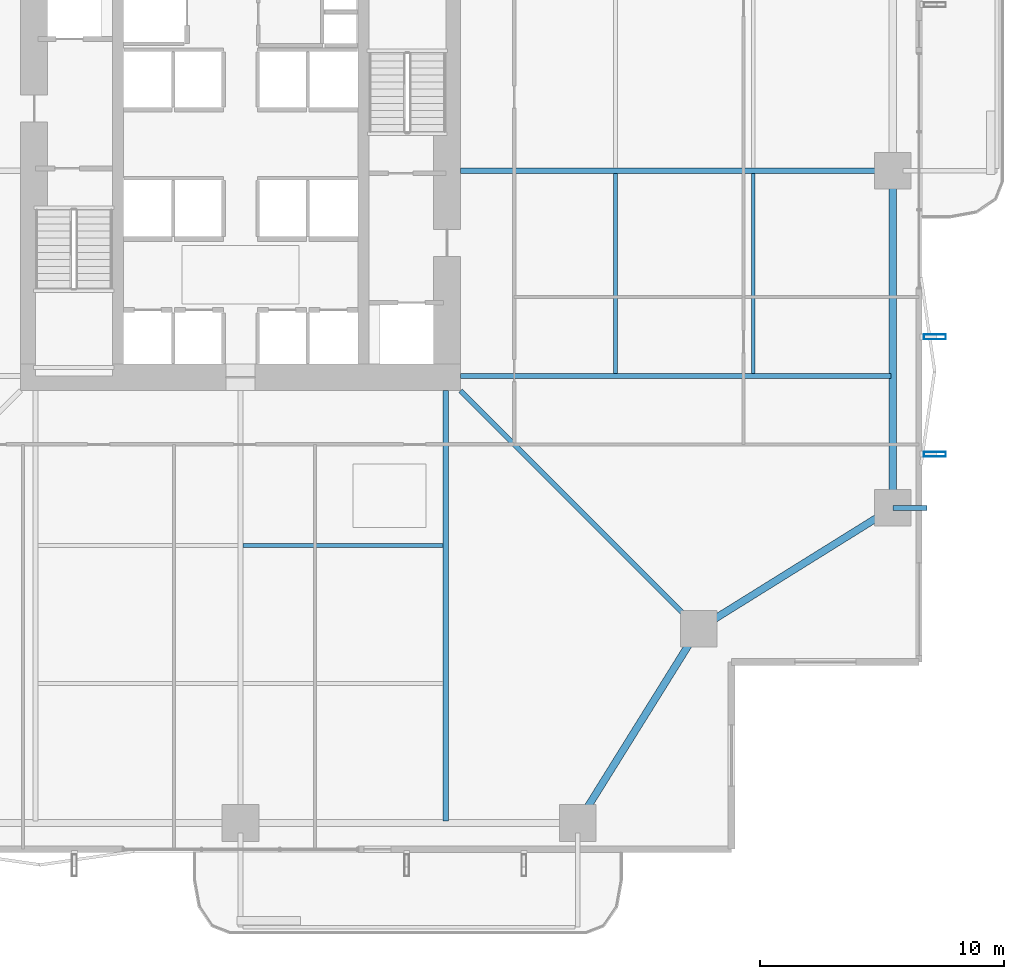
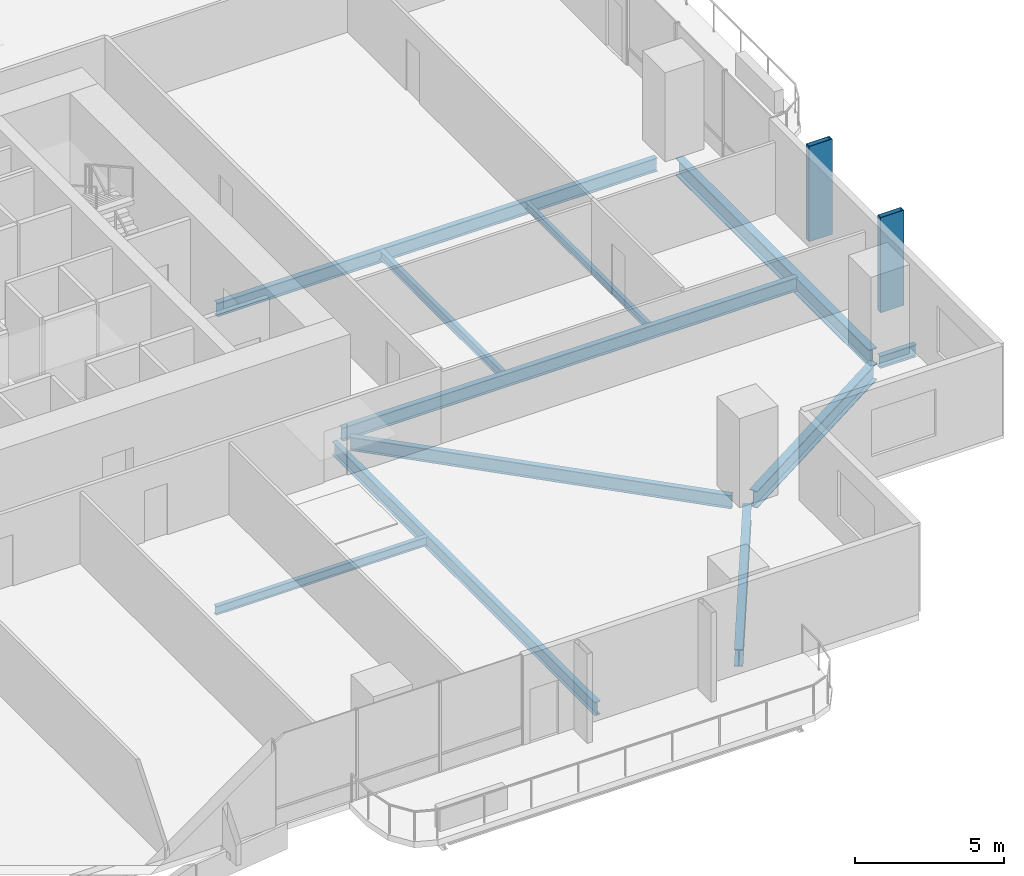
# One storey, part 7 of 24: 11 beams, 2 members.
"""IFC4 building model written with IfcOpenShell, lengths in metres."""

import ifcopenshell
import ifcopenshell.guid

model = None  # the IFC model being written
_history = None  # IfcOwnerHistory: only IFC2X3 demands one
_inside = {}  # id of a spatial element -> (the spatial element, [elements in it])
_under = {}  # id of a project, library or spatial element -> (it, [spatial elements below it])
_declared = {}  # id of a project -> (the project, [libraries it declares])
_typed = {}  # id of a type object -> (the type object, [elements of that type])
_made_of = {}  # id of a material, layer set ... -> (it, [elements and type objects made of it])


def new_model(schema):
    """Start an empty IFC model of exactly this schema.

    Asked for "IFC4X3", IfcOpenShell would pick the latest addendum, in which some entities
    have other attributes; the version numbers below select the first issue.
    IFC2X3 requires an IfcOwnerHistory on every rooted entity: one is made here for all.
    """
    global model, _history
    if schema == "IFC4X3":
        model = ifcopenshell.file(schema_version=(4, 3, 0, 0))
    else:
        model = ifcopenshell.file(schema=schema)
    _inside.clear()
    _under.clear()
    _declared.clear()
    _typed.clear()
    _made_of.clear()
    _history = None
    if model.schema == "IFC2X3":
        org = make("IfcOrganization", Name="unknown")
        user = make(
            "IfcPersonAndOrganization",
            ThePerson=make("IfcPerson", FamilyName="unknown"),
            TheOrganization=org,
        )
        app = make(
            "IfcApplication",
            ApplicationDeveloper=org,
            Version="unknown",
            ApplicationFullName="unknown",
            ApplicationIdentifier="unknown",
        )
        _history = make(
            "IfcOwnerHistory",
            OwningUser=user,
            OwningApplication=app,
            ChangeAction="ADDED",
            CreationDate=0,
        )
    return model


def make(cls, **values):
    """One entity of the class cls with the attributes given. An attribute that is None is left unset."""
    return model.create_entity(
        cls, **{name: value for name, value in values.items() if value is not None}
    )


def rooted(cls, **values):
    """An entity with a GlobalId (a new one), such as an element, a storey or a relation."""
    return make(cls, GlobalId=ifcopenshell.guid.new(), OwnerHistory=_history, **values)


def si_unit(unit_type, name, prefix=None):
    """IfcSIUnit, for example si_unit("LENGTHUNIT", "METRE", prefix="MILLI")."""
    return make("IfcSIUnit", UnitType=unit_type, Prefix=prefix, Name=name)


def assignment(units):
    """IfcUnitAssignment: the units of a project."""
    return None if units is None else make("IfcUnitAssignment", Units=units)


def point(xyz):
    """IfcCartesianPoint."""
    return None if xyz is None else make("IfcCartesianPoint", Coordinates=xyz)


def direction(xyz):
    """IfcDirection."""
    return None if xyz is None else make("IfcDirection", DirectionRatios=xyz)


def frame(location, z_axis=None, x_axis=None):
    """IfcAxis2Placement3D, a coordinate frame: its origin and axes. An axis left out is left unset."""
    return make(
        "IfcAxis2Placement3D",
        Location=point(location),
        Axis=direction(z_axis),
        RefDirection=direction(x_axis),
    )


def frame_2d(location, x_axis=None):
    """IfcAxis2Placement2D, a coordinate frame in the plane: its origin and x axis."""
    return make(
        "IfcAxis2Placement2D", Location=point(location), RefDirection=direction(x_axis)
    )


def origin():
    """The frame at (0, 0, 0) with its axes left unset."""
    return frame((0.0, 0.0, 0.0))


def origin_2d():
    """The frame at (0, 0) in the plane with its x axis left unset."""
    return frame_2d((0.0, 0.0))


def place(relative_to, where):
    """IfcLocalPlacement: puts the frame where relative to a parent placement (None: the world)."""
    return make(
        "IfcLocalPlacement", PlacementRelTo=relative_to, RelativePlacement=where
    )


def context(
    kind, dimensions, precision=None, world=None, true_north=None, identifier=None
):
    """IfcGeometricRepresentationContext, for example the 3D "Model" context."""
    return make(
        "IfcGeometricRepresentationContext",
        ContextIdentifier=identifier,
        ContextType=kind,
        CoordinateSpaceDimension=dimensions,
        Precision=precision,
        WorldCoordinateSystem=world,
        TrueNorth=true_north,
    )


def subcontext(parent, identifier, kind, view, scale=None):
    """IfcGeometricRepresentationSubContext, for example "Body" below "Model"."""
    return make(
        "IfcGeometricRepresentationSubContext",
        ContextIdentifier=identifier,
        ContextType=kind,
        ParentContext=parent,
        TargetScale=scale,
        TargetView=view,
    )


def project(units=None, contexts=None):
    """IfcProject with its units and contexts."""
    return rooted(
        "IfcProject",
        Name="project",
        RepresentationContexts=contexts,
        UnitsInContext=assignment(units),
    )


def spatial(cls, under=None, at=None, **own):
    """A site, building, storey or space (cls), placed at a placement, below another one or the project."""
    s = rooted(cls, ObjectPlacement=at, **own)
    if under is not None:
        _under.setdefault(under.id(), (under, []))[1].append(s)
    return s


def profile(cls, at=None, kind="AREA", **sizes):
    """A parametric profile (cls). Its sizes go by their IFC names, for example OverallWidth=200.0."""
    return make(cls, ProfileType=kind, Position=at, **sizes)


def hollow_rectangle(**sizes):
    """IfcRectangleHollowProfileDef."""
    return profile("IfcRectangleHollowProfileDef", **sizes)


def i_section(**sizes):
    """IfcIShapeProfileDef."""
    return profile("IfcIShapeProfileDef", **sizes)


def extrude(swept, where, along, depth):
    """IfcExtrudedAreaSolid: the profile swept, set in the frame where, extruded along a direction by depth."""
    return make(
        "IfcExtrudedAreaSolid",
        SweptArea=swept,
        Position=where,
        ExtrudedDirection=direction(along),
        Depth=depth,
    )


def shape(context_of_items, identifier, shape_type, items):
    """IfcShapeRepresentation: the items that make up one representation, for example the "Body"."""
    return make(
        "IfcShapeRepresentation",
        ContextOfItems=context_of_items,
        RepresentationIdentifier=identifier,
        RepresentationType=shape_type,
        Items=items,
    )


def material(Name=None, Category=None):
    """IfcMaterial."""
    return make("IfcMaterial", Name=Name, Category=Category)


def material_profile(
    of_material, cross_section, Name=None, Category=None, Priority=None
):
    """IfcMaterialProfile: a cross section and its material."""
    return make(
        "IfcMaterialProfile",
        Name=Name,
        Material=of_material,
        Profile=cross_section,
        Priority=Priority,
        Category=Category,
    )


def profile_set(profiles, Name=None, composite=None):
    """IfcMaterialProfileSet."""
    return make(
        "IfcMaterialProfileSet",
        Name=Name,
        MaterialProfiles=profiles,
        CompositeProfile=composite,
    )


def made_of(thing, what):
    """Note that an element or type object is made of a material, layer set ...; save() writes the relation."""
    if what is not None:
        _made_of.setdefault(what.id(), (what, []))[1].append(thing)
    return thing


def type_object(cls, material=None, **own):
    """A type object (cls), such as IfcWallType, which elements share."""
    return made_of(rooted(cls, **own), material)


def element(
    cls,
    number,
    at=None,
    inside=None,
    cuts=None,
    type_object=None,
    material=None,
    context=None,
    identifier="Body",
    shape_type=None,
    held_by="IfcProductDefinitionShape",
    body=None,
    shapes=None,
    **own,
):
    """One element of the class cls, such as IfcWall. Its Tag is "e" and its number.

    at: its placement. inside: the storey or other place that contains it. cuts: it is an
    opening in that element (IfcRelVoidsElement). A single representation is given by context,
    identifier, shape_type and body (its items); several are given by shapes. held_by: the class
    of the entity that holds the representations. save() writes the other relations.
    """
    e = rooted(cls, Tag="e%d" % number, ObjectPlacement=at, **own)
    if body is not None:
        shapes = [shape(context, identifier, shape_type, body)]
    if shapes is not None:
        e.Representation = make(held_by, Representations=shapes)
    if inside is not None:
        _inside.setdefault(inside.id(), (inside, []))[1].append(e)
    if cuts is not None:
        rooted(
            "IfcRelVoidsElement", RelatingBuildingElement=cuts, RelatedOpeningElement=e
        )
    if type_object is not None:
        _typed.setdefault(type_object.id(), (type_object, []))[1].append(e)
    return made_of(e, material)


def aggregate(whole, parts):
    """IfcRelAggregates: a whole, such as a stair, and the parts it consists of."""
    return rooted("IfcRelAggregates", RelatingObject=whole, RelatedObjects=parts)


def save(model, path):
    """Write the relations noted so far, then the file.

    IfcRelAggregates (storeys below a building ...), IfcRelContainedInSpatialStructure (elements
    in a storey), IfcRelDefinesByType, IfcRelAssociatesMaterial and IfcRelDeclares: one each for
    every whole, place, type object, material and project.
    """
    for whole, parts in _under.values():
        aggregate(whole, parts)
    for where, things in _inside.values():
        rooted(
            "IfcRelContainedInSpatialStructure",
            RelatedElements=things,
            RelatingStructure=where,
        )
    for kind, things in _typed.values():
        rooted("IfcRelDefinesByType", RelatedObjects=things, RelatingType=kind)
    for what, things in _made_of.values():
        rooted("IfcRelAssociatesMaterial", RelatedObjects=things, RelatingMaterial=what)
    for by, libraries in _declared.values():
        rooted("IfcRelDeclares", RelatingContext=by, RelatedDefinitions=libraries)
    model.write(path)


model = new_model("IFC4")

# Units and contexts
model_context = context("Model", 3, precision=1e-05, world=origin(), true_north=direction((0.0, 1.0)))
body_context = subcontext(model_context, "Body", "Model", "MODEL_VIEW")
ifc_project = project(units=[si_unit("LENGTHUNIT", "METRE"), si_unit("AREAUNIT", "SQUARE_METRE"), si_unit("VOLUMEUNIT", "CUBIC_METRE"), si_unit("PLANEANGLEUNIT", "RADIAN"), si_unit("MASSUNIT", "GRAM", prefix="KILO")], contexts=[model_context])

# Site, building, storey
site_placement = place(None, origin())
site = spatial("IfcSite", under=ifc_project, at=site_placement, CompositionType="ELEMENT")
building_placement = place(site_placement, origin())
building = spatial("IfcBuilding", under=site, at=building_placement, Name="Belovzor Exchange Tower", CompositionType="ELEMENT")
storey_placement = place(building_placement, frame((0.0, 0.0, 96.300048828125)))
storey = spatial("IfcBuildingStorey", under=building, at=storey_placement, Name="L23", CompositionType="ELEMENT", Elevation=96.300048828125)

# Beams
ifc_material_1 = material(Name="Steel S355", Category="steel")
ifc_material_profile_1 = material_profile(ifc_material_1, i_section(OverallWidth=0.199951171875, OverallDepth=0.5, WebThickness=0.01025390625, FlangeThickness=0.01611328125, at=origin_2d()))
ifc_profile_set_1 = profile_set([ifc_material_profile_1], Name="Steel S355")
beam_type_1 = type_object("IfcBeamType", Name="Planted Balcony Cantilever Beam IPE 500", PredefinedType="BEAM", material=ifc_profile_set_1)
beam_1_placement = place(storey_placement, frame((55.5, 15.0, -0.5), z_axis=(1.0, 0.0, 0.0), x_axis=(0.0, 1.0, 0.0)))
element("IfcBeam", 1, at=beam_1_placement, inside=storey, type_object=beam_type_1, Name="BC-500 Planted Balcony Cantilever Beam IPE 500", PredefinedType="BEAM", context=body_context, shape_type="SweptSolid", body=[
    extrude(i_section(OverallWidth=0.199951171875, OverallDepth=0.5, WebThickness=0.01025390625, FlangeThickness=0.01611328125, at=origin_2d()), origin(), (0.0, 0.0, 1.0), 1.39990234375),
])
ifc_material_2 = material(Name="Steel S355", Category="steel")
ifc_material_profile_2 = material_profile(ifc_material_2, i_section(OverallWidth=0.169921875, OverallDepth=0.360107421875, WebThickness=0.008056640625, FlangeThickness=0.0126953125, at=origin_2d()))
ifc_profile_set_2 = profile_set([ifc_material_profile_2], Name="Steel S355")
beam_type_2 = type_object("IfcBeamType", Name="Secondary Infill Floor Joist IPE 360", PredefinedType="BEAM", material=ifc_profile_set_2)
beam_2_placement = place(storey_placement, frame((28.905029296875, 13.455078125, -0.429931640625), z_axis=(1.0, 0.0, 0.0), x_axis=(0.0, 1.0, 0.0)))
element("IfcBeam", 2, at=beam_2_placement, inside=storey, type_object=beam_type_2, Name="FJ-360 Secondary Infill Floor Joist IPE 360", PredefinedType="BEAM", context=body_context, shape_type="SweptSolid", body=[
    extrude(i_section(OverallWidth=0.169921875, OverallDepth=0.360107421875, WebThickness=0.008056640625, FlangeThickness=0.0126953125, at=origin_2d()), origin(), (0.0, 0.0, 1.0), 8.18994140625),
])
beam_3_placement = place(storey_placement, frame((44.14501953125, 20.5048828125, -0.429931640625), z_axis=(0.0, 1.0, 0.0), x_axis=(-1.0, 0.0, 0.0)))
element("IfcBeam", 3, at=beam_3_placement, inside=storey, type_object=beam_type_2, Name="FJ-360 Secondary Infill Floor Joist IPE 360", PredefinedType="BEAM", context=body_context, shape_type="SweptSolid", body=[
    extrude(i_section(OverallWidth=0.169921875, OverallDepth=0.360107421875, WebThickness=0.008056640625, FlangeThickness=0.0126953125, at=origin_2d()), origin(), (0.0, 0.0, 1.0), 8.190185546875),
])
ifc_material_3 = material(Name="Steel S355", Category="steel")
ifc_material_profile_3 = material_profile(ifc_material_3, i_section(OverallWidth=0.14990234375, OverallDepth=0.300048828125, WebThickness=0.007080078125, FlangeThickness=0.0107421875, at=origin_2d()))
ifc_profile_set_3 = profile_set([ifc_material_profile_3], Name="Steel S355")
beam_type_3 = type_object("IfcBeamType", Name="Secondary Trim Floor Joist IPE 300", PredefinedType="BEAM", material=ifc_profile_set_3)
beam_4_placement = place(storey_placement, frame((49.784912109375, 20.5048828125, -0.400146484375), z_axis=(0.0, 1.0, 0.0), x_axis=(-1.0, 0.0, 0.0)))
element("IfcBeam", 4, at=beam_4_placement, inside=storey, type_object=beam_type_3, Name="FJ-300 Secondary Trim Floor Joist IPE 300", PredefinedType="BEAM", context=body_context, shape_type="SweptSolid", body=[
    extrude(i_section(OverallWidth=0.14990234375, OverallDepth=0.300048828125, WebThickness=0.007080078125, FlangeThickness=0.0107421875, at=origin_2d()), origin(), (0.0, 0.0, 1.0), 8.190185546875),
])

# Members
ifc_material_4 = material(Name="Extruded Architectural Terracotta on Steel S355 Carrier", Category="masonry")
ifc_material_profile_4 = material_profile(ifc_material_4, hollow_rectangle(XDim=0.199951171875, YDim=0.89990234375, WallThickness=0.011962890625, at=origin_2d()))
ifc_profile_set_4 = profile_set([ifc_material_profile_4], Name="Extruded Architectural Terracotta on Steel S355 Carrier")
member_type = type_object("IfcMemberType", Name="Sweeping Terracotta Baguette Fin Assembly 1250", PredefinedType="USERDEFINED", material=ifc_profile_set_4)
for number, where, z_axis, x_axis, name in (
    (5, (57.22509765625, 17.199951171875, -0.25), (0.0, 0.0, 1.0), (0.0, 1.0, 0.0), "FIN-TC125 Terracotta Facade Fin L23 E1"),
    (6, (57.22509765625, 22.0, -0.25), (0.0, 0.0, 1.0), (0.0, 1.0, 0.0), "FIN-TC125 Terracotta Facade Fin L23 E2"),
):
    element("IfcMember", number, at=place(storey_placement, frame(where, z_axis=z_axis, x_axis=x_axis)), inside=storey, type_object=member_type, Name=name, ObjectType="FIN", PredefinedType="USERDEFINED", context=body_context, shape_type="SweptSolid", body=[
        extrude(hollow_rectangle(XDim=0.199951171875, YDim=0.89990234375, WallThickness=0.011962890625, at=origin_2d()), origin(), (0.0, 0.0, 1.0), 3.89990234375),
    ])

# Beams
ifc_material_5 = material(Name="Steel S355", Category="steel")
ifc_material_profile_5 = material_profile(ifc_material_5, i_section(OverallWidth=0.300048828125, OverallDepth=0.699951171875, WebThickness=0.01708984375, FlangeThickness=0.031982421875, at=origin_2d()))
ifc_profile_set_5 = profile_set([ifc_material_profile_5], Name="Steel S355")
beam_type_4 = type_object("IfcBeamType", Name="Zone 1 Primary Perimeter Girder HEB 700", PredefinedType="BEAM", material=ifc_profile_set_5)
for number, where, z_axis, x_axis, name in (
    (7, (42.818115234375, 2.449951171875, -0.60009765625), (0.528538629686, 0.848909251292, 0.0), (-0.848909251292, 0.528538629686, 0.0), "FG-Z1 Zone 1 Primary Perimeter Girder HEB 700"),
    (8, (47.89990234375, 10.26806640625, -0.60009765625), (0.848909251292, 0.528538629686, 0.0), (-0.528538629686, 0.848909251292, 0.0), "FG-Z1 Zone 1 Primary Perimeter Girder HEB 700"),
):
    element("IfcBeam", number, at=place(storey_placement, frame(where, z_axis=z_axis, x_axis=x_axis)), inside=storey, type_object=beam_type_4, Name=name, PredefinedType="BEAM", context=body_context, shape_type="SweptSolid", body=[
        extrude(i_section(OverallWidth=0.300048828125, OverallDepth=0.699951171875, WebThickness=0.01708984375, FlangeThickness=0.031982421875, at=origin_2d()), origin(), (0.0, 0.0, 1.0), 8.540283203125),
    ])
beam_5_placement = place(storey_placement, frame((55.5, 15.412109375, -0.60009765625), z_axis=(0.0, 1.0, 0.0), x_axis=(-1.0, 0.0, 0.0)))
element("IfcBeam", 9, at=beam_5_placement, inside=storey, type_object=beam_type_4, Name="FG-Z1 Zone 1 Primary Perimeter Girder HEB 700", PredefinedType="BEAM", context=body_context, shape_type="SweptSolid", body=[
    extrude(i_section(OverallWidth=0.300048828125, OverallDepth=0.699951171875, WebThickness=0.01708984375, FlangeThickness=0.031982421875, at=origin_2d()), origin(), (0.0, 0.0, 1.0), 12.974853515625),
])
ifc_material_6 = material(Name="Steel S355", Category="steel")
ifc_material_profile_6 = material_profile(ifc_material_6, i_section(OverallWidth=0.2099609375, OverallDepth=0.550048828125, WebThickness=0.010986328125, FlangeThickness=0.01708984375, at=origin_2d()))
ifc_profile_set_6 = profile_set([ifc_material_profile_6], Name="Steel S355")
beam_type_5 = type_object("IfcBeamType", Name="Zone 1 Radial Composite Floor Beam IPE 550", PredefinedType="BEAM", material=ifc_profile_set_6)
for number, where, z_axis, x_axis, name in (
    (10, (37.199951171875, 19.800048828125, -0.525146484375), (0.0, -1.0, 0.0), (1.0, 0.0, 0.0), "FB-550 Zone 1 Radial Composite Floor Beam IPE 550"),
    (11, (37.800048828125, 20.39990234375, -0.525146484375), (1.0, 0.0, 0.0), (0.0, 1.0, 0.0), "FB-550 Zone 1 Radial Composite Floor Beam IPE 550"),
):
    element("IfcBeam", number, at=place(storey_placement, frame(where, z_axis=z_axis, x_axis=x_axis)), inside=storey, type_object=beam_type_5, Name=name, PredefinedType="BEAM", context=body_context, shape_type="SweptSolid", body=[
        extrude(i_section(OverallWidth=0.2099609375, OverallDepth=0.550048828125, WebThickness=0.010986328125, FlangeThickness=0.01708984375, at=origin_2d()), origin(), (0.0, 0.0, 1.0), 17.625),
    ])
beam_6_placement = place(storey_placement, frame((37.800048828125, 28.800048828125, -0.525146484375), z_axis=(1.0, 0.0, 0.0), x_axis=(0.0, 1.0, 0.0)))
element("IfcBeam", 12, at=beam_6_placement, inside=storey, type_object=beam_type_5, Name="FB-550 Zone 1 Radial Composite Floor Beam IPE 550", PredefinedType="BEAM", context=body_context, shape_type="SweptSolid", body=[
    extrude(i_section(OverallWidth=0.2099609375, OverallDepth=0.550048828125, WebThickness=0.010986328125, FlangeThickness=0.01708984375, at=origin_2d()), origin(), (0.0, 0.0, 1.0), 17.0400390625),
])
beam_7_placement = place(storey_placement, frame((37.800048828125, 19.800048828125, -0.525146484375), z_axis=(0.707106781187, -0.707106781187, 0.0), x_axis=(0.707106781187, 0.707106781187, 0.0)))
element("IfcBeam", 13, at=beam_7_placement, inside=storey, type_object=beam_type_5, Name="FB-550 Zone 1 Radial Composite Floor Beam IPE 550", PredefinedType="BEAM", context=body_context, shape_type="SweptSolid", body=[
    extrude(i_section(OverallWidth=0.2099609375, OverallDepth=0.550048828125, WebThickness=0.010986328125, FlangeThickness=0.01708984375, at=origin_2d()), origin(), (0.0, 0.0, 1.0), 13.25830078125),
])

save(model, "model.ifc")
